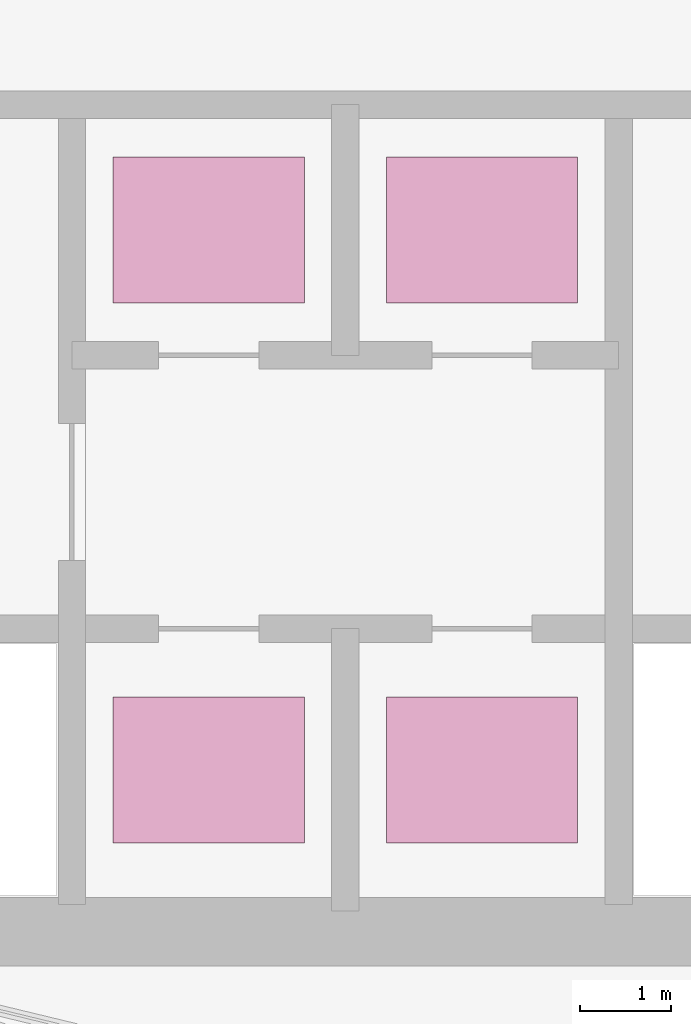
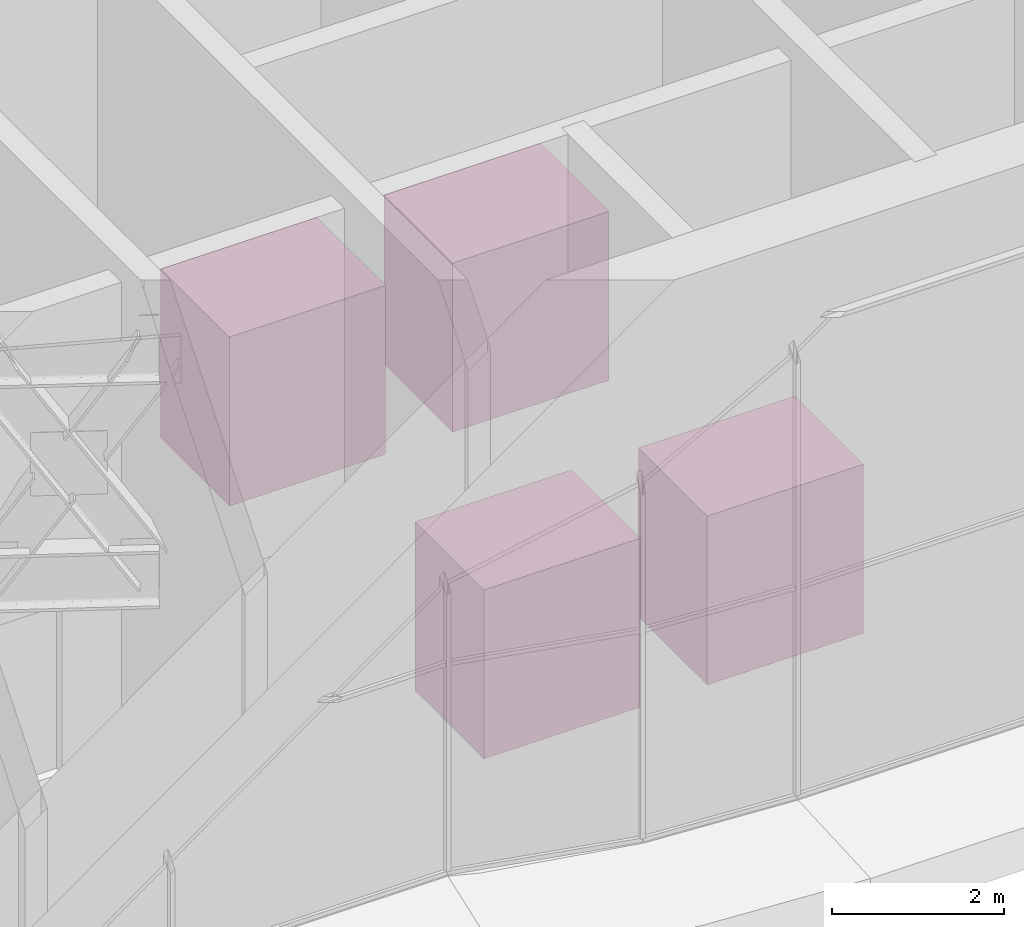
# One storey, part 35 of 35: 4 transport elements.
"""IFC4 building model written with IfcOpenShell, lengths in metres."""

from ifc_helpers import new_model, si_unit, direction, frame, origin, origin_2d, place, context, subcontext, project, spatial, rectangle, extrude, material, type_object, element, save


model = new_model("IFC4")

# Units and contexts
model_context = context("Model", 3, precision=1e-05, world=origin(), true_north=direction((0.0, 1.0)))
body_context = subcontext(model_context, "Body", "Model", "MODEL_VIEW")
ifc_project = project(units=[si_unit("LENGTHUNIT", "METRE"), si_unit("AREAUNIT", "SQUARE_METRE"), si_unit("VOLUMEUNIT", "CUBIC_METRE"), si_unit("PLANEANGLEUNIT", "RADIAN"), si_unit("MASSUNIT", "GRAM", prefix="KILO")], contexts=[model_context])

# Site, building, storey
site_placement = place(None, origin())
site = spatial("IfcSite", under=ifc_project, at=site_placement, CompositionType="ELEMENT")
building_placement = place(site_placement, origin())
building = spatial("IfcBuilding", under=site, at=building_placement, Name="Ogive Portal Towers", CompositionType="ELEMENT")
storey_placement = place(building_placement, frame((0.0, 0.0, 135.199951171875)))
storey = spatial("IfcBuildingStorey", under=building, at=storey_placement, Name="L33", CompositionType="ELEMENT", Elevation=135.199951171875)

# Transport elements
ifc_material = material(Name="Stainless steel car", Category="steel")
transport_element_type = type_object("IfcTransportElementType", Name="LT-HR", PredefinedType="ELEVATOR", material=ifc_material)
for number, where, z_axis, x_axis, name in (
    (1, (42.300048828125, 23.35009765625, 0.0), (0.0, 0.0, 1.0), (1.0, 0.0, 0.0), "Lift HR1"),
    (2, (45.300048828125, 23.35009765625, 0.0), (0.0, 0.0, 1.0), (1.0, 0.0, 0.0), "Lift HR2"),
    (3, (42.300048828125, 29.27490234375, 0.0), (0.0, 0.0, 1.0), (1.0, 0.0, 0.0), "Lift HR3"),
    (4, (45.300048828125, 29.27490234375, 0.0), (0.0, 0.0, 1.0), (1.0, 0.0, 0.0), "Lift HR4"),
):
    element("IfcTransportElement", number, at=place(storey_placement, frame(where, z_axis=z_axis, x_axis=x_axis)), inside=storey, type_object=transport_element_type, Name=name, PredefinedType="ELEVATOR", context=body_context, shape_type="SweptSolid", body=[
        extrude(rectangle(XDim=2.10009765625, YDim=1.60009765625, at=origin_2d()), origin(), (0.0, 0.0, 1.0), 2.39990234375),
    ])

save(model, "model.ifc")
